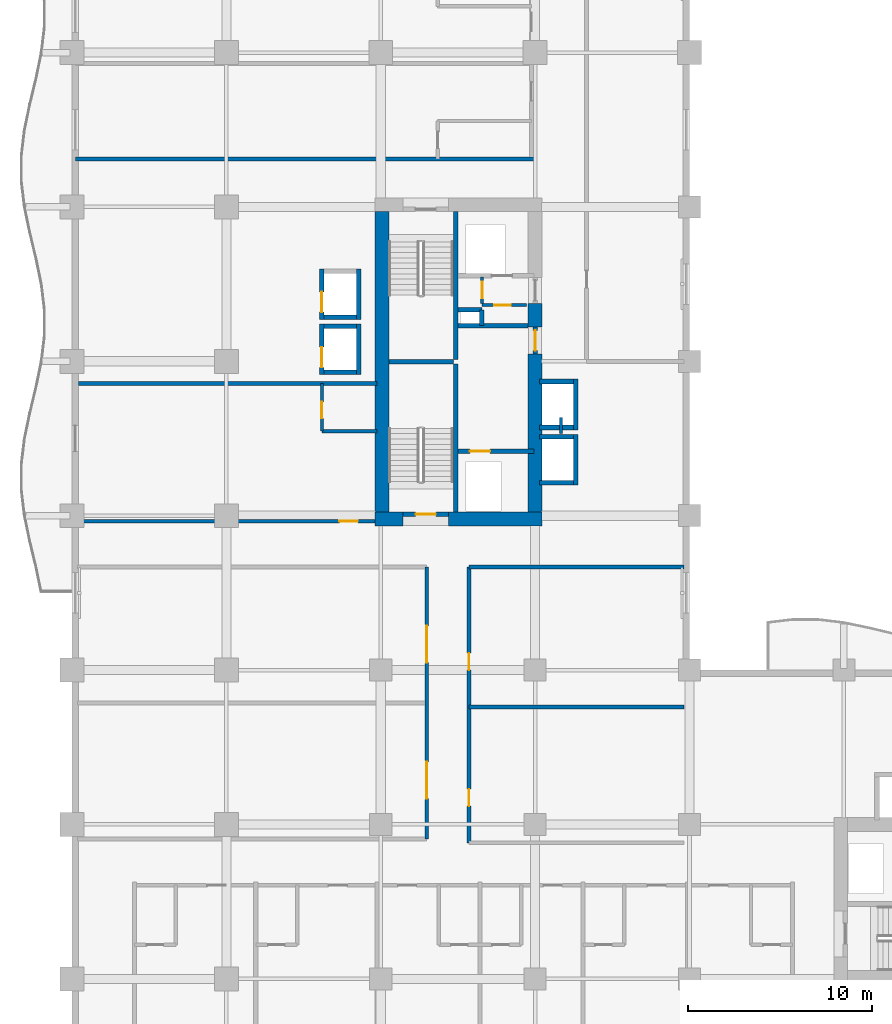
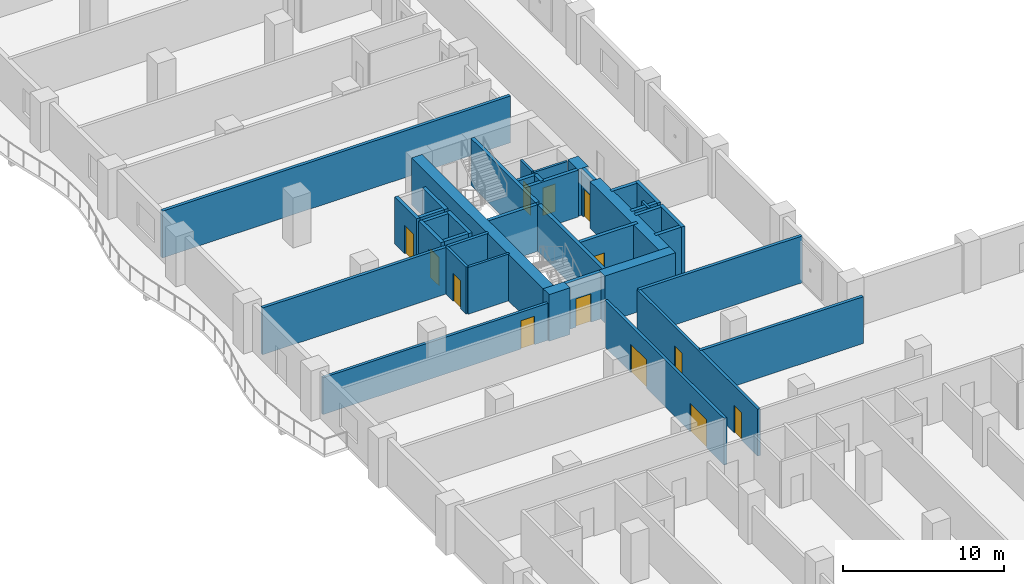
# One storey, part 7 of 17: 39 walls, 13 doors, 13 openings.
"""IFC4 building model written with IfcOpenShell, lengths in metres."""

from ifc_helpers import new_model, si_unit, direction, frame, frame_2d, origin, place, context, subcontext, project, spatial, rectangle, extrude, material, layer, layer_set, type_object, element, fill, save


model = new_model("IFC4")

# Units and contexts
model_context = context("Model", 3, precision=1e-05, world=origin(), true_north=direction((0.0, 1.0)))
body_context = subcontext(model_context, "Body", "Model", "MODEL_VIEW")
ifc_project = project(units=[si_unit("LENGTHUNIT", "METRE"), si_unit("AREAUNIT", "SQUARE_METRE"), si_unit("VOLUMEUNIT", "CUBIC_METRE"), si_unit("PLANEANGLEUNIT", "RADIAN"), si_unit("MASSUNIT", "GRAM", prefix="KILO")], contexts=[model_context])

# Site, building, storey
site_placement = place(None, origin())
site = spatial("IfcSite", under=ifc_project, at=site_placement, CompositionType="ELEMENT")
building_placement = place(site_placement, origin())
building = spatial("IfcBuilding", under=site, at=building_placement, Name="Koriwani Terraces Tower", CompositionType="ELEMENT")
storey_placement = place(building_placement, frame((0.0, 0.0, 130.39990234375)))
storey = spatial("IfcBuildingStorey", under=building, at=storey_placement, Name="L31", CompositionType="ELEMENT", Elevation=130.39990234375)

# Walls
ifc_material_1 = material(Name="Concrete C60/75", Category="concrete")
ifc_layer_1 = layer(ifc_material_1, 0.75, Name="Concrete C60/75")
ifc_layer_set_1 = layer_set([ifc_layer_1], Name="Concrete C60/75")
wall_type_1 = type_object("IfcWallType", Name="WALL_CORE_RC_750", PredefinedType="SHEAR", material=ifc_layer_set_1)
wall_1_placement = place(storey_placement, frame((16.5, 41.824951171875, 0.0), z_axis=(0.0, 0.0, 1.0), x_axis=(1.0, 0.0, 0.0)))
element("IfcWall", 1, at=wall_1_placement, inside=storey, type_object=wall_type_1, Name="L31 West Split Core Shear Wall S1", PredefinedType="SHEAR", context=body_context, shape_type="SweptSolid", body=[
    extrude(rectangle(XDim=1.5, YDim=0.75, at=frame_2d((0.75, 0.0))), origin(), (0.0, 0.0, 1.0), 3.550048828125),
])
wall_2_placement = place(storey_placement, frame((20.5, 41.824951171875, 0.0), z_axis=(0.0, 0.0, 1.0), x_axis=(1.0, 0.0, 0.0)))
element("IfcWall", 2, at=wall_2_placement, inside=storey, type_object=wall_type_1, Name="L31 West Split Core Shear Wall S2", PredefinedType="SHEAR", context=body_context, shape_type="SweptSolid", body=[
    extrude(rectangle(XDim=5.074951171875, YDim=0.75, at=frame_2d((2.53759765625, 0.0))), origin(), (0.0, 0.0, 1.0), 3.550048828125),
])
wall_3_placement = place(storey_placement, frame((16.875, 42.199951171875, 0.0), z_axis=(0.0, 0.0, 1.0), x_axis=(0.0, 1.0, 0.0)))
element("IfcWall", 3, at=wall_3_placement, inside=storey, type_object=wall_type_1, Name="L31 West Split Core Shear Wall W1", PredefinedType="SHEAR", context=body_context, shape_type="SweptSolid", body=[
    extrude(rectangle(XDim=16.35009765625, YDim=0.75, at=frame_2d((8.175048828125, 0.0))), origin(), (0.0, 0.0, 1.0), 3.550048828125),
])
wall_4_placement = place(storey_placement, frame((25.199951171875, 42.199951171875, 0.0), z_axis=(0.0, 0.0, 1.0), x_axis=(0.0, 1.0, 0.0)))
element("IfcWall", 4, at=wall_4_placement, inside=storey, type_object=wall_type_1, Name="L31 West Split Core Shear Wall E1", PredefinedType="SHEAR", context=body_context, shape_type="SweptSolid", body=[
    extrude(rectangle(XDim=8.60009765625, YDim=0.75, at=frame_2d((4.300048828125, 0.0))), origin(), (0.0, 0.0, 1.0), 3.550048828125),
])
wall_5_placement = place(storey_placement, frame((25.199951171875, 52.280029296875, 0.0), z_axis=(0.0, 0.0, 1.0), x_axis=(0.0, 1.0, 0.0)))
element("IfcWall", 5, at=wall_5_placement, inside=storey, type_object=wall_type_1, Name="L31 West Split Core Shear Wall E2", PredefinedType="SHEAR", context=body_context, shape_type="SweptSolid", body=[
    extrude(rectangle(XDim=1.27001953125, YDim=0.75, at=frame_2d((0.635009765625, 0.0))), origin(), (0.0, 0.0, 1.0), 3.550048828125),
])

# Wall, opening, door
ifc_material_2 = material(Name="Autoclaved Cellular Concrete Blockwork", Category="masonry")
ifc_layer_2 = layer(ifc_material_2, 0.199951171875, Name="Autoclaved Cellular Concrete Blockwork")
ifc_layer_set_2 = layer_set([ifc_layer_2], Name="Autoclaved Cellular Concrete Blockwork")
wall_type_2 = type_object("IfcWallType", Name="WALL_CORRIDOR_200", PredefinedType="PARTITIONING", material=ifc_layer_set_2)
wall_6_placement = place(storey_placement, frame((0.35009765625, 41.699951171875, 0.0), z_axis=(0.0, 0.0, 1.0), x_axis=(1.0, 0.0, 0.0)))
wall_6 = element("IfcWall", 6, at=wall_6_placement, inside=storey, type_object=wall_type_2, Name="L31 Interior Wall WREC-WS-L31", PredefinedType="PARTITIONING", context=body_context, shape_type="SweptSolid", body=[
    extrude(rectangle(XDim=16.25, YDim=0.199951171875, at=frame_2d((8.125, 0.0))), origin(), (0.0, 0.0, 1.0), 2.800048828125),
])
opening_1_placement = place(wall_6_placement, frame((14.199951171875, 0.0, 0.0)))
opening_1 = element("IfcOpeningElement", 7, at=opening_1_placement, cuts=wall_6, Name="Opening D-05", PredefinedType="OPENING", context=body_context, shape_type="SweptSolid", body=[
    extrude(rectangle(XDim=1.0, YDim=2.14990234375, at=frame_2d((0.5, 1.074951171875))), frame((0.0, 0.10986328125, 0.0), z_axis=(0.0, -1.0, 0.0), x_axis=(1.0, 0.0, 0.0)), (0.0, 0.0, 1.0), 0.219970703125),
])
ifc_material_3 = material(Name="Architectural Oak Fire Door", Category="wood")
door_type_1 = type_object("IfcDoorType", Name="DOOR_SUITE_ENTRY_1000X2150", OperationType="NOTDEFINED", PredefinedType="DOOR", material=ifc_material_3)
door_1_placement = place(opening_1_placement, origin())
door_1 = element("IfcDoor", 8, at=door_1_placement, inside=storey, type_object=door_type_1, Name="L31 Reclaimed West Suite Door", OperationType="SINGLE_SWING_LEFT", OverallHeight=2.14990234375, OverallWidth=1.0, PredefinedType="DOOR", context=body_context, shape_type="SweptSolid", body=[
    extrude(rectangle(XDim=1.0, YDim=2.14990234375, at=frame_2d((0.5, 1.074951171875))), frame((0.0, 0.02490234375, 0.0), z_axis=(0.0, -1.0, 0.0), x_axis=(1.0, 0.0, 0.0)), (0.0, 0.0, 1.0), 0.050048828125),
])
fill(opening_1, door_1)

# Wall, openings, doors
wall_7_placement = place(storey_placement, frame((21.60009765625, 24.199951171875, 0.0), z_axis=(0.0, 0.0, 1.0), x_axis=(0.0, 1.0, 0.0)))
wall_7 = element("IfcWall", 9, at=wall_7_placement, inside=storey, type_object=wall_type_2, Name="L31 Interior Wall WIC2-W-L31", PredefinedType="PARTITIONING", context=body_context, shape_type="SweptSolid", body=[
    extrude(rectangle(XDim=15.0, YDim=0.199951171875, at=frame_2d((7.5, 0.0))), origin(), (0.0, 0.0, 1.0), 3.550048828125),
])
opening_2_placement = place(wall_7_placement, frame((2.0, 0.0, 0.0)))
opening_2 = element("IfcOpeningElement", 10, at=opening_2_placement, cuts=wall_7, Name="Opening D-06", PredefinedType="OPENING", context=body_context, shape_type="SweptSolid", body=[
    extrude(rectangle(XDim=0.919921875, YDim=2.10009765625, at=frame_2d((0.4599609375, 1.050048828125))), frame((0.0, 0.10986328125, 0.0), z_axis=(0.0, -1.0, 0.0), x_axis=(1.0, 0.0, 0.0)), (0.0, 0.0, 1.0), 0.219970703125),
])
opening_3_placement = place(wall_7_placement, frame((9.39990234375, 0.0, 0.0)))
opening_3 = element("IfcOpeningElement", 11, at=opening_3_placement, cuts=wall_7, Name="Opening D-06", PredefinedType="OPENING", context=body_context, shape_type="SweptSolid", body=[
    extrude(rectangle(XDim=0.919921875, YDim=2.10009765625, at=frame_2d((0.4599609375, 1.050048828125))), frame((0.0, 0.10986328125, 0.0), z_axis=(0.0, -1.0, 0.0), x_axis=(1.0, 0.0, 0.0)), (0.0, 0.0, 1.0), 0.219970703125),
])
door_type_2 = type_object("IfcDoorType", Name="DOOR_ROOM_INT_920X2100", OperationType="NOTDEFINED", PredefinedType="DOOR", material=ifc_material_3)
door_2_placement = place(opening_2_placement, origin())
door_2 = element("IfcDoor", 12, at=door_2_placement, inside=storey, type_object=door_type_2, Name="L31 Inner Court Salon Door", OperationType="SINGLE_SWING_RIGHT", OverallHeight=2.10009765625, OverallWidth=0.919921875, PredefinedType="DOOR", context=body_context, shape_type="SweptSolid", body=[
    extrude(rectangle(XDim=0.919921875, YDim=2.10009765625, at=frame_2d((0.4599609375, 1.050048828125))), frame((0.0, 0.02490234375, 0.0), z_axis=(0.0, -1.0, 0.0), x_axis=(1.0, 0.0, 0.0)), (0.0, 0.0, 1.0), 0.050048828125),
])
fill(opening_2, door_2)
door_3_placement = place(opening_3_placement, origin())
door_3 = element("IfcDoor", 13, at=door_3_placement, inside=storey, type_object=door_type_2, Name="L31 Inner Court Media Room Door", OperationType="SINGLE_SWING_LEFT", OverallHeight=2.10009765625, OverallWidth=0.919921875, PredefinedType="DOOR", context=body_context, shape_type="SweptSolid", body=[
    extrude(rectangle(XDim=0.919921875, YDim=2.10009765625, at=frame_2d((0.4599609375, 1.050048828125))), frame((0.0, 0.02490234375, 0.0), z_axis=(0.0, -1.0, 0.0), x_axis=(1.0, 0.0, 0.0)), (0.0, 0.0, 1.0), 0.050048828125),
])
fill(opening_3, door_3)

wall_8_placement = place(storey_placement, frame((19.300048828125, 24.39990234375, 0.0), z_axis=(0.0, 0.0, 1.0), x_axis=(0.0, 1.0, 0.0)))
wall_8 = element("IfcWall", 14, at=wall_8_placement, inside=storey, type_object=wall_type_2, Name="L31 Interior Wall WC2NWCL-L31", PredefinedType="PARTITIONING", context=body_context, shape_type="SweptSolid", body=[
    extrude(rectangle(XDim=14.800048828125, YDim=0.199951171875, at=frame_2d((7.39990234375, 0.0))), origin(), (0.0, 0.0, 1.0), 3.550048828125),
])
opening_4_placement = place(wall_8_placement, frame((2.199951171875, 0.0, 0.0)))
opening_4 = element("IfcOpeningElement", 15, at=opening_4_placement, cuts=wall_8, Name="Opening D-02", PredefinedType="OPENING", context=body_context, shape_type="SweptSolid", body=[
    extrude(rectangle(XDim=2.0, YDim=2.14990234375, at=frame_2d((1.0, 1.074951171875))), frame((0.0, 0.10986328125, 0.0), z_axis=(0.0, -1.0, 0.0), x_axis=(1.0, 0.0, 0.0)), (0.0, 0.0, 1.0), 0.219970703125),
])
opening_5_placement = place(wall_8_placement, frame((9.60009765625, 0.0, 0.0)))
opening_5 = element("IfcOpeningElement", 16, at=opening_5_placement, cuts=wall_8, Name="Opening D-02", PredefinedType="OPENING", context=body_context, shape_type="SweptSolid", body=[
    extrude(rectangle(XDim=2.0, YDim=2.14990234375, at=frame_2d((1.0, 1.074951171875))), frame((0.0, 0.10986328125, 0.0), z_axis=(0.0, -1.0, 0.0), x_axis=(1.0, 0.0, 0.0)), (0.0, 0.0, 1.0), 0.219970703125),
])
ifc_material_4 = material(Name="Anodised Bronze Aluminium", Category="aluminium")
door_type_3 = type_object("IfcDoorType", Name="DOOR_ENTRANCE_DOUBLE_2000X2400", OperationType="NOTDEFINED", PredefinedType="DOOR", material=ifc_material_4)
door_4_placement = place(opening_4_placement, origin())
door_4 = element("IfcDoor", 17, at=door_4_placement, inside=storey, type_object=door_type_3, Name="L31 Panorama Spa Door", OperationType="SINGLE_SWING_RIGHT", OverallHeight=2.14990234375, OverallWidth=2.0, PredefinedType="DOOR", context=body_context, shape_type="SweptSolid", body=[
    extrude(rectangle(XDim=2.0, YDim=2.14990234375, at=frame_2d((1.0, 1.074951171875))), frame((0.0, 0.02490234375, 0.0), z_axis=(0.0, -1.0, 0.0), x_axis=(1.0, 0.0, 0.0)), (0.0, 0.0, 1.0), 0.050048828125),
])
fill(opening_4, door_4)
door_5_placement = place(opening_5_placement, origin())
door_5 = element("IfcDoor", 18, at=door_5_placement, inside=storey, type_object=door_type_3, Name="L31 Panorama Library Door", OperationType="SINGLE_SWING_RIGHT", OverallHeight=2.14990234375, OverallWidth=2.0, PredefinedType="DOOR", context=body_context, shape_type="SweptSolid", body=[
    extrude(rectangle(XDim=2.0, YDim=2.14990234375, at=frame_2d((1.0, 1.074951171875))), frame((0.0, 0.02490234375, 0.0), z_axis=(0.0, -1.0, 0.0), x_axis=(1.0, 0.0, 0.0)), (0.0, 0.0, 1.0), 0.050048828125),
])
fill(opening_5, door_5)

# Walls
ifc_layer_3 = layer(ifc_material_2, 0.219970703125, Name="Autoclaved Cellular Concrete Blockwork")
ifc_layer_set_3 = layer_set([ifc_layer_3], Name="Autoclaved Cellular Concrete Blockwork")
wall_type_3 = type_object("IfcWallType", Name="WALL_DEMISING_220", PredefinedType="PARTITIONING", material=ifc_layer_set_3)
wall_9_placement = place(storey_placement, frame((0.35009765625, 49.199951171875, 0.0), z_axis=(0.0, 0.0, 1.0), x_axis=(1.0, 0.0, 0.0)))
element("IfcWall", 19, at=wall_9_placement, inside=storey, type_object=wall_type_3, Name="L31 Interior Wall WREC-WN-L31", PredefinedType="PARTITIONING", context=body_context, shape_type="SweptSolid", body=[
    extrude(rectangle(XDim=16.25, YDim=0.219970703125, at=frame_2d((8.125, 0.0))), origin(), (0.0, 0.0, 1.0), 3.550048828125),
])
for number, where, z_axis, x_axis, name in (
    (20, (21.60009765625, 31.60009765625, 0.0), (0.0, 0.0, 1.0), (1.0, 0.0, 0.0), "L31 Interior Wall WIC2-M-L31"),
    (21, (21.60009765625, 39.199951171875, 0.0), (0.0, 0.0, 1.0), (1.0, 0.0, 0.0), "L31 Interior Wall WIC2-N-L31"),
):
    element("IfcWall", number, at=place(storey_placement, frame(where, z_axis=z_axis, x_axis=x_axis)), inside=storey, type_object=wall_type_3, Name=name, PredefinedType="PARTITIONING", context=body_context, shape_type="SweptSolid", body=[
        extrude(rectangle(XDim=11.699951171875, YDim=0.219970703125, at=frame_2d((5.85009765625, 0.0))), origin(), (0.0, 0.0, 1.0), 3.550048828125),
    ])
wall_10_placement = place(storey_placement, frame((0.199951171875, 61.39990234375, 0.0), z_axis=(0.0, 0.0, 1.0), x_axis=(1.0, 0.0, 0.0)))
element("IfcWall", 22, at=wall_10_placement, inside=storey, type_object=wall_type_3, Name="L31 Interior Wall WDEM-L31-NE-0", PredefinedType="PARTITIONING", context=body_context, shape_type="SweptSolid", body=[
    extrude(rectangle(XDim=24.97998046875, YDim=0.219970703125, at=frame_2d((12.489990234375, 0.0))), origin(), (0.0, 0.0, 1.0), 3.550048828125),
])
ifc_material_5 = material(Name="Fire-Rated Acoustic Gypsum Partition", Category="masonry")
ifc_layer_4 = layer(ifc_material_5, 0.179931640625, Name="Fire-Rated Acoustic Gypsum Partition")
ifc_layer_set_4 = layer_set([ifc_layer_4], Name="Fire-Rated Acoustic Gypsum Partition")
wall_type_4 = type_object("IfcWallType", Name="WALL_PLUMBING_180", PredefinedType="PLUMBINGWALL", material=ifc_layer_set_4)
wall_11_placement = place(storey_placement, frame((13.60009765625, 46.60009765625, 0.0), z_axis=(0.0, 0.0, 1.0), x_axis=(1.0, 0.0, 0.0)))
element("IfcWall", 23, at=wall_11_placement, inside=storey, type_object=wall_type_4, Name="L31 Interior Wall WREC-WB1-L31", PredefinedType="PLUMBINGWALL", context=body_context, shape_type="SweptSolid", body=[
    extrude(rectangle(XDim=3.0, YDim=0.179931640625, at=frame_2d((1.5, 0.0))), origin(), (0.0, 0.0, 1.0), 3.550048828125),
])

# Wall, opening, door
wall_12_placement = place(storey_placement, frame((13.60009765625, 46.60009765625, 0.0), z_axis=(0.0, 0.0, 1.0), x_axis=(0.0, 1.0, 0.0)))
wall_12 = element("IfcWall", 24, at=wall_12_placement, inside=storey, type_object=wall_type_4, Name="L31 Interior Wall WREC-WB2-L31", PredefinedType="PLUMBINGWALL", context=body_context, shape_type="SweptSolid", body=[
    extrude(rectangle(XDim=2.599853515625, YDim=0.179931640625, at=frame_2d((1.2998046875, 0.0))), origin(), (0.0, 0.0, 1.0), 3.550048828125),
])
opening_6_placement = place(wall_12_placement, frame((0.699951171875, 0.0, 0.0)))
opening_6 = element("IfcOpeningElement", 25, at=opening_6_placement, cuts=wall_12, Name="Opening D-07", PredefinedType="OPENING", context=body_context, shape_type="SweptSolid", body=[
    extrude(rectangle(XDim=0.89990234375, YDim=2.10009765625, at=frame_2d((0.449951171875, 1.050048828125))), frame((0.0, 0.10009765625, 0.0), z_axis=(0.0, -1.0, 0.0), x_axis=(1.0, 0.0, 0.0)), (0.0, 0.0, 1.0), 0.199951171875),
])
door_type_4 = type_object("IfcDoorType", Name="DOOR_BATH_INT_900X2100", OperationType="NOTDEFINED", PredefinedType="DOOR", material=ifc_material_3)
door_6_placement = place(opening_6_placement, origin())
door_6 = element("IfcDoor", 26, at=door_6_placement, inside=storey, type_object=door_type_4, Name="L31 Reclaimed Suite En-Suite Door", OperationType="SINGLE_SWING_RIGHT", OverallHeight=2.10009765625, OverallWidth=0.89990234375, PredefinedType="DOOR", context=body_context, shape_type="SweptSolid", body=[
    extrude(rectangle(XDim=0.89990234375, YDim=2.10009765625, at=frame_2d((0.449951171875, 1.050048828125))), frame((0.0, 0.02490234375, 0.0), z_axis=(0.0, -1.0, 0.0), x_axis=(1.0, 0.0, 0.0)), (0.0, 0.0, 1.0), 0.050048828125),
])
fill(opening_6, door_6)

# Walls
ifc_material_6 = material(Name="Concrete C40/50", Category="concrete")
ifc_layer_5 = layer(ifc_material_6, 0.25, Name="Concrete C40/50")
ifc_layer_set_5 = layer_set([ifc_layer_5], Name="Concrete C40/50")
wall_type_5 = type_object("IfcWallType", Name="WALL_SHAFT_RATED_250", PredefinedType="SOLIDWALL", material=ifc_layer_set_5)
for number, where, z_axis, x_axis, name in (
    (27, (20.875, 42.199951171875, 0.0), (0.0, 0.0, 1.0), (0.0, 1.0, 0.0), "L31 West Split Core Web Wall MID1"),
    (28, (20.875, 50.5, 0.0), (0.0, 0.0, 1.0), (0.0, 1.0, 0.0), "L31 West Split Core Web Wall MID2"),
):
    element("IfcWall", number, at=place(storey_placement, frame(where, z_axis=z_axis, x_axis=x_axis)), inside=storey, type_object=wall_type_5, Name=name, PredefinedType="SOLIDWALL", context=body_context, shape_type="SweptSolid", body=[
        extrude(rectangle(XDim=8.050048828125, YDim=0.25, at=frame_2d((4.02490234375, 0.0))), origin(), (0.0, 0.0, 1.0), 3.550048828125),
    ])
wall_13_placement = place(storey_placement, frame((17.25, 50.375, 0.0), z_axis=(0.0, 0.0, 1.0), x_axis=(1.0, 0.0, 0.0)))
element("IfcWall", 29, at=wall_13_placement, inside=storey, type_object=wall_type_5, Name="L31 West Split Core Stair Dividing Wall", PredefinedType="SOLIDWALL", context=body_context, shape_type="SweptSolid", body=[
    extrude(rectangle(XDim=3.5, YDim=0.25, at=frame_2d((1.75, 0.0))), origin(), (0.0, 0.0, 1.0), 3.550048828125),
])

# Wall, opening, door
wall_14_placement = place(storey_placement, frame((18.0, 42.074951171875, 0.0), z_axis=(0.0, 0.0, 1.0), x_axis=(1.0, 0.0, 0.0)))
wall_14 = element("IfcWall", 30, at=wall_14_placement, inside=storey, type_object=wall_type_5, Name="L31 Interior Wall WIN-CW-L31-STS", PredefinedType="SOLIDWALL", context=body_context, shape_type="SweptSolid", body=[
    extrude(rectangle(XDim=2.5, YDim=0.25, at=frame_2d((1.25, 0.0))), origin(), (0.0, 0.0, 1.0), 3.550048828125),
])
opening_7_placement = place(wall_14_placement, frame((0.699951171875, 0.0, 0.0)))
opening_7 = element("IfcOpeningElement", 31, at=opening_7_placement, cuts=wall_14, Name="Opening D-03", PredefinedType="OPENING", context=body_context, shape_type="SweptSolid", body=[
    extrude(rectangle(XDim=1.10009765625, YDim=2.14990234375, at=frame_2d((0.550048828125, 1.074951171875))), frame((0.0, 0.135009765625, 0.0), z_axis=(0.0, -1.0, 0.0), x_axis=(1.0, 0.0, 0.0)), (0.0, 0.0, 1.0), 0.27001953125),
])
ifc_material_7 = material(Name="Steel ASTM A572 Grade 50", Category="steel")
door_type_5 = type_object("IfcDoorType", Name="DOOR_STAIR_FIRE_1100X2150", OperationType="NOTDEFINED", PredefinedType="DOOR", material=ifc_material_7)
door_7_placement = place(opening_7_placement, origin())
door_7 = element("IfcDoor", 32, at=door_7_placement, inside=storey, type_object=door_type_5, Name="L31 Exit Stair ST-W1 Door", OperationType="SINGLE_SWING_LEFT", OverallHeight=2.14990234375, OverallWidth=1.10009765625, PredefinedType="DOOR", context=body_context, shape_type="SweptSolid", body=[
    extrude(rectangle(XDim=1.10009765625, YDim=2.14990234375, at=frame_2d((0.550048828125, 1.074951171875))), frame((0.0, 0.02490234375, 0.0), z_axis=(0.0, -1.0, 0.0), x_axis=(1.0, 0.0, 0.0)), (0.0, 0.0, 1.0), 0.050048828125),
])
fill(opening_7, door_7)

wall_15_placement = place(storey_placement, frame((21.0, 45.5, 0.0), z_axis=(0.0, 0.0, 1.0), x_axis=(1.0, 0.0, 0.0)))
wall_15 = element("IfcWall", 33, at=wall_15_placement, inside=storey, type_object=wall_type_5, Name="L31 Interior Wall WIN-CW-L31-FE", PredefinedType="SOLIDWALL", context=body_context, shape_type="SweptSolid", body=[
    extrude(rectangle(XDim=4.14990234375, YDim=0.25, at=frame_2d((2.074951171875, 0.0))), origin(), (0.0, 0.0, 1.0), 3.550048828125),
])
opening_8_placement = place(wall_15_placement, frame((0.64990234375, 0.0, 0.0)))
opening_8 = element("IfcOpeningElement", 34, at=opening_8_placement, cuts=wall_15, Name="Opening LD-01", PredefinedType="OPENING", context=body_context, shape_type="SweptSolid", body=[
    extrude(rectangle(XDim=1.10009765625, YDim=2.14990234375, at=frame_2d((0.550048828125, 1.074951171875))), frame((0.0, 0.135009765625, 0.0), z_axis=(0.0, -1.0, 0.0), x_axis=(1.0, 0.0, 0.0)), (0.0, 0.0, 1.0), 0.27001953125),
])
door_type_6 = type_object("IfcDoorType", Name="DOOR_LIFT_LANDING_1100X2200", OperationType="NOTDEFINED", PredefinedType="DOOR", material=ifc_material_7)
door_8_placement = place(opening_8_placement, origin())
door_8 = element("IfcDoor", 35, at=door_8_placement, inside=storey, type_object=door_type_6, Name="L31 Firefighting Lift FE-01 Landing Door", OperationType="SLIDING_TO_LEFT", OverallHeight=2.14990234375, OverallWidth=1.10009765625, PredefinedType="DOOR", context=body_context, shape_type="SweptSolid", body=[
    extrude(rectangle(XDim=1.10009765625, YDim=2.14990234375, at=frame_2d((0.550048828125, 1.074951171875))), frame((0.0, 0.02490234375, 0.0), z_axis=(0.0, -1.0, 0.0), x_axis=(1.0, 0.0, 0.0)), (0.0, 0.0, 1.0), 0.050048828125),
])
fill(opening_8, door_8)

wall_16_placement = place(storey_placement, frame((25.199951171875, 50.800048828125, 0.0), z_axis=(0.0, 0.0, 1.0), x_axis=(0.0, 1.0, 0.0)))
wall_16 = element("IfcWall", 36, at=wall_16_placement, inside=storey, type_object=wall_type_5, Name="L31 Interior Wall WIN-CW-L31-EP", PredefinedType="SOLIDWALL", context=body_context, shape_type="SweptSolid", body=[
    extrude(rectangle(XDim=1.47998046875, YDim=0.25, at=frame_2d((0.739990234375, 0.0))), origin(), (0.0, 0.0, 1.0), 3.550048828125),
])
opening_9_placement = place(wall_16_placement, frame((0.179931640625, 0.0, 0.0)))
opening_9 = element("IfcOpeningElement", 37, at=opening_9_placement, cuts=wall_16, Name="Opening D-03", PredefinedType="OPENING", context=body_context, shape_type="SweptSolid", body=[
    extrude(rectangle(XDim=1.10009765625, YDim=2.14990234375, at=frame_2d((0.550048828125, 1.074951171875))), frame((0.0, 0.135009765625, 0.0), z_axis=(0.0, -1.0, 0.0), x_axis=(1.0, 0.0, 0.0)), (0.0, 0.0, 1.0), 0.27001953125),
])
door_9_placement = place(opening_9_placement, origin())
door_9 = element("IfcDoor", 38, at=door_9_placement, inside=storey, type_object=door_type_5, Name="L31 West Firefighting Lobby Door", OperationType="SINGLE_SWING_LEFT", OverallHeight=2.14990234375, OverallWidth=1.10009765625, PredefinedType="DOOR", context=body_context, shape_type="SweptSolid", body=[
    extrude(rectangle(XDim=1.10009765625, YDim=2.14990234375, at=frame_2d((0.550048828125, 1.074951171875))), frame((0.0, 0.02490234375, 0.0), z_axis=(0.0, -1.0, 0.0), x_axis=(1.0, 0.0, 0.0)), (0.0, 0.0, 1.0), 0.050048828125),
])
fill(opening_9, door_9)

# Walls
wall_17_placement = place(storey_placement, frame((21.0, 52.340087890625, 0.0), z_axis=(0.0, 0.0, 1.0), x_axis=(1.0, 0.0, 0.0)))
element("IfcWall", 39, at=wall_17_placement, inside=storey, type_object=wall_type_5, Name="L31 Interior Wall WIN-CW-L31-FFN", PredefinedType="SOLIDWALL", context=body_context, shape_type="SweptSolid", body=[
    extrude(rectangle(XDim=3.824951171875, YDim=0.25, at=frame_2d((1.91259765625, 0.0))), origin(), (0.0, 0.0, 1.0), 3.550048828125),
])
wall_18_placement = place(storey_placement, frame((21.0, 53.199951171875, 0.0), z_axis=(0.0, 0.0, 1.0), x_axis=(1.0, 0.0, 0.0)))
element("IfcWall", 40, at=wall_18_placement, inside=storey, type_object=wall_type_5, Name="L31 Interior Wall WIN-CW-L31-RS1", PredefinedType="SOLIDWALL", context=body_context, shape_type="SweptSolid", body=[
    extrude(rectangle(XDim=1.300048828125, YDim=0.25, at=frame_2d((0.64990234375, 0.0))), origin(), (0.0, 0.0, 1.0), 3.550048828125),
])
wall_19_placement = place(storey_placement, frame((22.300048828125, 52.360107421875, 0.0), z_axis=(0.0, 0.0, 1.0), x_axis=(0.0, 1.0, 0.0)))
element("IfcWall", 41, at=wall_19_placement, inside=storey, type_object=wall_type_5, Name="L31 Interior Wall WIN-CW-L31-RS2", PredefinedType="SOLIDWALL", context=body_context, shape_type="SweptSolid", body=[
    extrude(rectangle(XDim=0.83984375, YDim=0.25, at=frame_2d((0.419921875, 0.0))), origin(), (0.0, 0.0, 1.0), 3.550048828125),
])

# Wall, opening, door
wall_20_placement = place(storey_placement, frame((13.60009765625, 49.675048828125, 0.0), z_axis=(0.0, 0.0, 1.0), x_axis=(0.0, 1.0, 0.0)))
wall_20 = element("IfcWall", 42, at=wall_20_placement, inside=storey, type_object=wall_type_5, Name="L31 Interior Wall WIN-LF-PE-M1-L31-F", PredefinedType="SOLIDWALL", context=body_context, shape_type="SweptSolid", body=[
    extrude(rectangle(XDim=2.75, YDim=0.25, at=frame_2d((1.375, 0.0))), origin(), (0.0, 0.0, 1.0), 3.550048828125),
])
opening_10_placement = place(wall_20_placement, frame((0.39990234375, 0.0, 0.0)))
opening_10 = element("IfcOpeningElement", 43, at=opening_10_placement, cuts=wall_20, Name="Opening LD-01", PredefinedType="OPENING", context=body_context, shape_type="SweptSolid", body=[
    extrude(rectangle(XDim=1.10009765625, YDim=2.14990234375, at=frame_2d((0.550048828125, 1.074951171875))), frame((0.0, 0.135009765625, 0.0), z_axis=(0.0, -1.0, 0.0), x_axis=(1.0, 0.0, 0.0)), (0.0, 0.0, 1.0), 0.27001953125),
])
door_10_placement = place(opening_10_placement, origin())
door_10 = element("IfcDoor", 44, at=door_10_placement, inside=storey, type_object=door_type_6, Name="L31 Passenger Lift PE-M1 Landing Door", OperationType="SLIDING_TO_LEFT", OverallHeight=2.14990234375, OverallWidth=1.10009765625, PredefinedType="DOOR", context=body_context, shape_type="SweptSolid", body=[
    extrude(rectangle(XDim=1.10009765625, YDim=2.14990234375, at=frame_2d((0.550048828125, 1.074951171875))), frame((0.0, 0.02490234375, 0.0), z_axis=(0.0, -1.0, 0.0), x_axis=(1.0, 0.0, 0.0)), (0.0, 0.0, 1.0), 0.050048828125),
])
fill(opening_10, door_10)

# Walls
wall_21_placement = place(storey_placement, frame((15.60009765625, 49.675048828125, 0.0), z_axis=(0.0, 0.0, 1.0), x_axis=(0.0, 1.0, 0.0)))
element("IfcWall", 45, at=wall_21_placement, inside=storey, type_object=wall_type_5, Name="L31 Interior Wall WIN-LF-PE-M1-L31-B", PredefinedType="SOLIDWALL", context=body_context, shape_type="SweptSolid", body=[
    extrude(rectangle(XDim=2.75, YDim=0.25, at=frame_2d((1.375, 0.0))), origin(), (0.0, 0.0, 1.0), 3.550048828125),
])
for number, where, z_axis, x_axis, name in (
    (46, (13.72509765625, 49.800048828125, 0.0), (0.0, 0.0, 1.0), (1.0, 0.0, 0.0), "L31 Interior Wall WIN-LF-PE-M1-L31-S"),
    (47, (13.72509765625, 52.300048828125, 0.0), (0.0, 0.0, 1.0), (1.0, 0.0, 0.0), "L31 Interior Wall WIN-LF-PE-M1-L31-N"),
):
    element("IfcWall", number, at=place(storey_placement, frame(where, z_axis=z_axis, x_axis=x_axis)), inside=storey, type_object=wall_type_5, Name=name, PredefinedType="SOLIDWALL", context=body_context, shape_type="SweptSolid", body=[
        extrude(rectangle(XDim=1.75, YDim=0.25, at=frame_2d((0.875, 0.0))), origin(), (0.0, 0.0, 1.0), 3.550048828125),
    ])

# Wall, opening, door
wall_22_placement = place(storey_placement, frame((13.60009765625, 52.675048828125, 0.0), z_axis=(0.0, 0.0, 1.0), x_axis=(0.0, 1.0, 0.0)))
wall_22 = element("IfcWall", 48, at=wall_22_placement, inside=storey, type_object=wall_type_5, Name="L31 Interior Wall WIN-LF-PE-M2-L31-F", PredefinedType="SOLIDWALL", context=body_context, shape_type="SweptSolid", body=[
    extrude(rectangle(XDim=2.75, YDim=0.25, at=frame_2d((1.375, 0.0))), origin(), (0.0, 0.0, 1.0), 3.550048828125),
])
opening_11_placement = place(wall_22_placement, frame((0.39990234375, 0.0, 0.0)))
opening_11 = element("IfcOpeningElement", 49, at=opening_11_placement, cuts=wall_22, Name="Opening LD-01", PredefinedType="OPENING", context=body_context, shape_type="SweptSolid", body=[
    extrude(rectangle(XDim=1.10009765625, YDim=2.14990234375, at=frame_2d((0.550048828125, 1.074951171875))), frame((0.0, 0.135009765625, 0.0), z_axis=(0.0, -1.0, 0.0), x_axis=(1.0, 0.0, 0.0)), (0.0, 0.0, 1.0), 0.27001953125),
])
door_11_placement = place(opening_11_placement, origin())
door_11 = element("IfcDoor", 50, at=door_11_placement, inside=storey, type_object=door_type_6, Name="L31 Passenger Lift PE-M2 Landing Door", OperationType="SLIDING_TO_LEFT", OverallHeight=2.14990234375, OverallWidth=1.10009765625, PredefinedType="DOOR", context=body_context, shape_type="SweptSolid", body=[
    extrude(rectangle(XDim=1.10009765625, YDim=2.14990234375, at=frame_2d((0.550048828125, 1.074951171875))), frame((0.0, 0.02490234375, 0.0), z_axis=(0.0, -1.0, 0.0), x_axis=(1.0, 0.0, 0.0)), (0.0, 0.0, 1.0), 0.050048828125),
])
fill(opening_11, door_11)

# Walls
wall_23_placement = place(storey_placement, frame((15.60009765625, 52.675048828125, 0.0), z_axis=(0.0, 0.0, 1.0), x_axis=(0.0, 1.0, 0.0)))
element("IfcWall", 51, at=wall_23_placement, inside=storey, type_object=wall_type_5, Name="L31 Interior Wall WIN-LF-PE-M2-L31-B", PredefinedType="SOLIDWALL", context=body_context, shape_type="SweptSolid", body=[
    extrude(rectangle(XDim=2.75, YDim=0.25, at=frame_2d((1.375, 0.0))), origin(), (0.0, 0.0, 1.0), 3.550048828125),
])
wall_24_placement = place(storey_placement, frame((13.72509765625, 52.800048828125, 0.0), z_axis=(0.0, 0.0, 1.0), x_axis=(1.0, 0.0, 0.0)))
element("IfcWall", 52, at=wall_24_placement, inside=storey, type_object=wall_type_5, Name="L31 Interior Wall WIN-LF-PE-M2-L31-S", PredefinedType="SOLIDWALL", context=body_context, shape_type="SweptSolid", body=[
    extrude(rectangle(XDim=1.75, YDim=0.25, at=frame_2d((0.875, 0.0))), origin(), (0.0, 0.0, 1.0), 3.550048828125),
])
wall_25_placement = place(storey_placement, frame((27.39990234375, 43.675048828125, 0.0), z_axis=(0.0, 0.0, 1.0), x_axis=(0.0, 1.0, 0.0)))
element("IfcWall", 53, at=wall_25_placement, inside=storey, type_object=wall_type_5, Name="L31 Interior Wall WIN-LF-PE-H1-L31-F", PredefinedType="SOLIDWALL", context=body_context, shape_type="SweptSolid", body=[
    extrude(rectangle(XDim=2.75, YDim=0.25, at=frame_2d((1.375, 0.0))), origin(), (0.0, 0.0, 1.0), 3.550048828125),
])
for number, where, z_axis, x_axis, name in (
    (54, (25.449951171875, 43.800048828125, 0.0), (0.0, 0.0, 1.0), (1.0, 0.0, 0.0), "L31 Interior Wall WIN-LF-PE-H1-L31-S"),
    (55, (25.449951171875, 46.300048828125, 0.0), (0.0, 0.0, 1.0), (1.0, 0.0, 0.0), "L31 Interior Wall WIN-LF-PE-H1-L31-N"),
):
    element("IfcWall", number, at=place(storey_placement, frame(where, z_axis=z_axis, x_axis=x_axis)), inside=storey, type_object=wall_type_5, Name=name, PredefinedType="SOLIDWALL", context=body_context, shape_type="SweptSolid", body=[
        extrude(rectangle(XDim=1.824951171875, YDim=0.25, at=frame_2d((0.91259765625, 0.0))), origin(), (0.0, 0.0, 1.0), 3.550048828125),
    ])
wall_26_placement = place(storey_placement, frame((27.39990234375, 46.675048828125, 0.0), z_axis=(0.0, 0.0, 1.0), x_axis=(0.0, 1.0, 0.0)))
element("IfcWall", 56, at=wall_26_placement, inside=storey, type_object=wall_type_5, Name="L31 Interior Wall WIN-LF-PE-H2-L31-F", PredefinedType="SOLIDWALL", context=body_context, shape_type="SweptSolid", body=[
    extrude(rectangle(XDim=2.75, YDim=0.25, at=frame_2d((1.375, 0.0))), origin(), (0.0, 0.0, 1.0), 3.550048828125),
])
for number, where, z_axis, x_axis, name in (
    (57, (25.449951171875, 46.800048828125, 0.0), (0.0, 0.0, 1.0), (1.0, 0.0, 0.0), "L31 Interior Wall WIN-LF-PE-H2-L31-S"),
    (58, (25.449951171875, 49.300048828125, 0.0), (0.0, 0.0, 1.0), (1.0, 0.0, 0.0), "L31 Interior Wall WIN-LF-PE-H2-L31-N"),
):
    element("IfcWall", number, at=place(storey_placement, frame(where, z_axis=z_axis, x_axis=x_axis)), inside=storey, type_object=wall_type_5, Name=name, PredefinedType="SOLIDWALL", context=body_context, shape_type="SweptSolid", body=[
        extrude(rectangle(XDim=1.824951171875, YDim=0.25, at=frame_2d((0.91259765625, 0.0))), origin(), (0.0, 0.0, 1.0), 3.550048828125),
    ])

# Wall, opening, door
ifc_layer_6 = layer(ifc_material_5, 0.159912109375, Name="Fire-Rated Acoustic Gypsum Partition")
ifc_layer_set_6 = layer_set([ifc_layer_6], Name="Fire-Rated Acoustic Gypsum Partition")
wall_type_6 = type_object("IfcWallType", Name="WALL_SUITE_160", PredefinedType="PARTITIONING", material=ifc_layer_set_6)
wall_27_placement = place(storey_placement, frame((22.320068359375, 53.56005859375, 0.0), z_axis=(0.0, 0.0, 1.0), x_axis=(0.0, 1.0, 0.0)))
wall_27 = element("IfcWall", 59, at=wall_27_placement, inside=storey, type_object=wall_type_6, Name="L31 Interior Wall WIN-CW-L31-SV1A", PredefinedType="PARTITIONING", context=body_context, shape_type="SweptSolid", body=[
    extrude(rectangle(XDim=1.43994140625, YDim=0.159912109375, at=frame_2d((0.719970703125, 0.0))), origin(), (0.0, 0.0, 1.0), 3.550048828125),
])
opening_12_placement = place(wall_27_placement, frame((0.260009765625, 0.0, 0.0)))
opening_12 = element("IfcOpeningElement", 60, at=opening_12_placement, cuts=wall_27, Name="Opening D-07", PredefinedType="OPENING", context=body_context, shape_type="SweptSolid", body=[
    extrude(rectangle(XDim=0.89990234375, YDim=2.10009765625, at=frame_2d((0.449951171875, 1.050048828125))), frame((0.0, 0.08984375, 0.0), z_axis=(0.0, -1.0, 0.0), x_axis=(1.0, 0.0, 0.0)), (0.0, 0.0, 1.0), 0.179931640625),
])
door_12_placement = place(opening_12_placement, origin())
door_12 = element("IfcDoor", 61, at=door_12_placement, inside=storey, type_object=door_type_4, Name="L31 West Telecom Room Door", OperationType="SINGLE_SWING_LEFT", OverallHeight=2.10009765625, OverallWidth=0.89990234375, PredefinedType="DOOR", context=body_context, shape_type="SweptSolid", body=[
    extrude(rectangle(XDim=0.89990234375, YDim=2.10009765625, at=frame_2d((0.449951171875, 1.050048828125))), frame((0.0, 0.02490234375, 0.0), z_axis=(0.0, -1.0, 0.0), x_axis=(1.0, 0.0, 0.0)), (0.0, 0.0, 1.0), 0.050048828125),
])
fill(opening_12, door_12)

wall_28_placement = place(storey_placement, frame((22.320068359375, 53.4599609375, 0.0), z_axis=(0.0, 0.0, 1.0), x_axis=(1.0, 0.0, 0.0)))
wall_28 = element("IfcWall", 62, at=wall_28_placement, inside=storey, type_object=wall_type_6, Name="L31 Interior Wall WIN-CW-L31-SV1B", PredefinedType="PARTITIONING", context=body_context, shape_type="SweptSolid", body=[
    extrude(rectangle(XDim=2.39990234375, YDim=0.159912109375, at=frame_2d((1.199951171875, 0.0))), origin(), (0.0, 0.0, 1.0), 3.550048828125),
])
opening_13_placement = place(wall_28_placement, frame((0.64990234375, 0.0, 0.0)))
opening_13 = element("IfcOpeningElement", 63, at=opening_13_placement, cuts=wall_28, Name="Opening D-07", PredefinedType="OPENING", context=body_context, shape_type="SweptSolid", body=[
    extrude(rectangle(XDim=0.89990234375, YDim=2.10009765625, at=frame_2d((0.449951171875, 1.050048828125))), frame((0.0, 0.08984375, 0.0), z_axis=(0.0, -1.0, 0.0), x_axis=(1.0, 0.0, 0.0)), (0.0, 0.0, 1.0), 0.179931640625),
])
door_13_placement = place(opening_13_placement, origin())
door_13 = element("IfcDoor", 64, at=door_13_placement, inside=storey, type_object=door_type_4, Name="L31 West Cleaners Closet Door", OperationType="SINGLE_SWING_RIGHT", OverallHeight=2.10009765625, OverallWidth=0.89990234375, PredefinedType="DOOR", context=body_context, shape_type="SweptSolid", body=[
    extrude(rectangle(XDim=0.89990234375, YDim=2.10009765625, at=frame_2d((0.449951171875, 1.050048828125))), frame((0.0, 0.02490234375, 0.0), z_axis=(0.0, -1.0, 0.0), x_axis=(1.0, 0.0, 0.0)), (0.0, 0.0, 1.0), 0.050048828125),
])
fill(opening_13, door_13)

# Wall
wall_29_placement = place(storey_placement, frame((26.60009765625, 46.4599609375, 0.0), z_axis=(0.0, 0.0, 1.0), x_axis=(0.0, 1.0, 0.0)))
element("IfcWall", 65, at=wall_29_placement, inside=storey, type_object=wall_type_6, Name="L31 Interior Wall WIN-LF-PEH12-MID-L31", PredefinedType="PARTITIONING", context=body_context, shape_type="SweptSolid", body=[
    extrude(rectangle(XDim=0.880126953125, YDim=0.159912109375, at=frame_2d((0.43994140625, 0.0))), origin(), (0.0, 0.0, 1.0), 3.550048828125),
])

save(model, "model.ifc")
